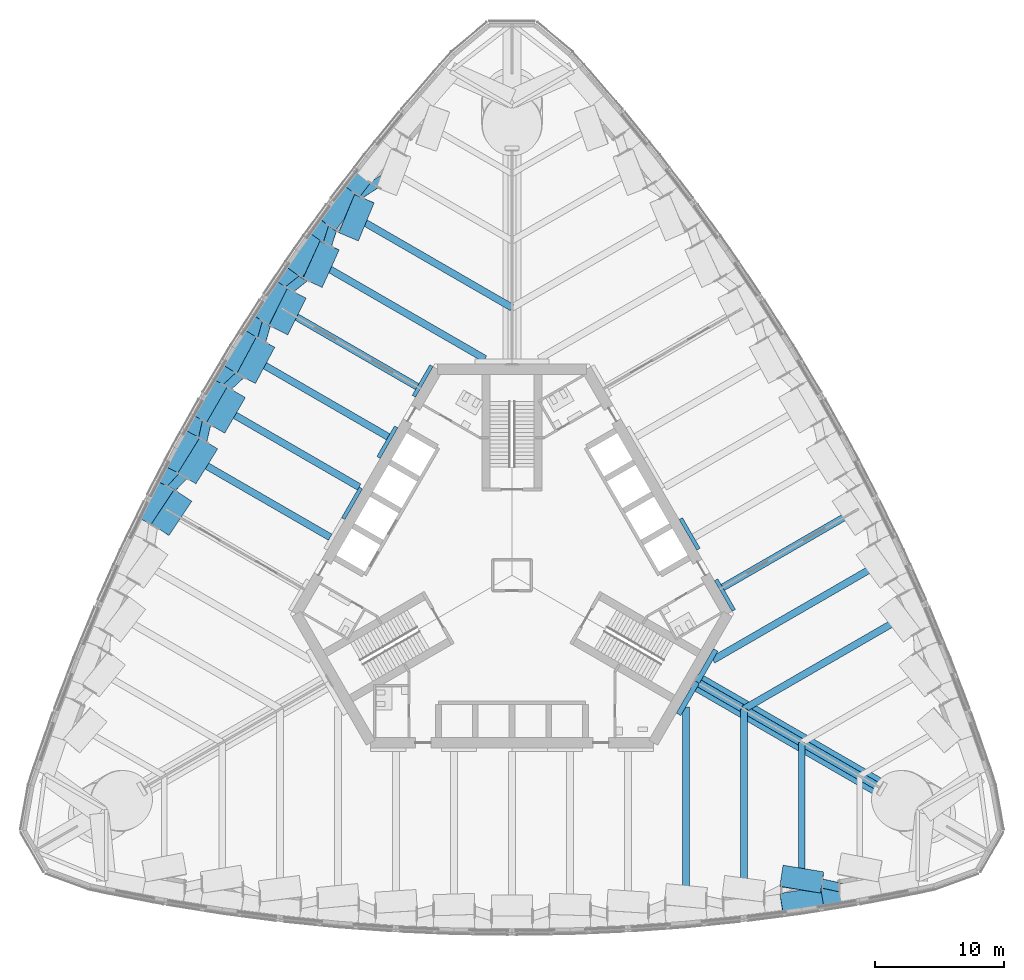
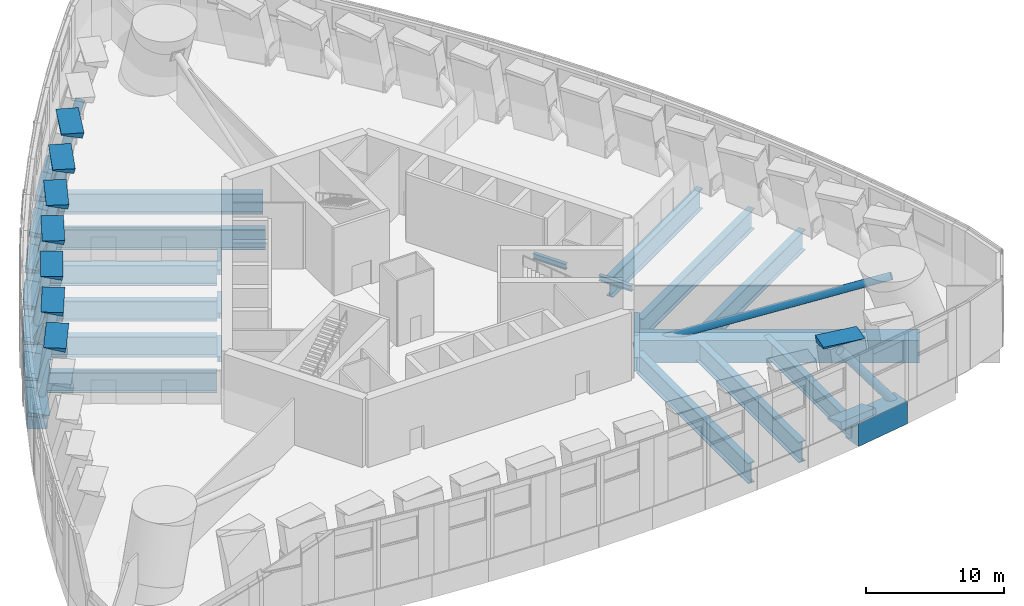
# One storey, part 4 of 28: 28 beams, 25 members.
"""IFC4 building model written with IfcOpenShell, lengths in metres."""

import ifcopenshell
import ifcopenshell.guid

model = None  # the IFC model being written
_history = None  # IfcOwnerHistory: only IFC2X3 demands one
_inside = {}  # id of a spatial element -> (the spatial element, [elements in it])
_under = {}  # id of a project, library or spatial element -> (it, [spatial elements below it])
_declared = {}  # id of a project -> (the project, [libraries it declares])
_typed = {}  # id of a type object -> (the type object, [elements of that type])
_made_of = {}  # id of a material, layer set ... -> (it, [elements and type objects made of it])


def new_model(schema):
    """Start an empty IFC model of exactly this schema.

    Asked for "IFC4X3", IfcOpenShell would pick the latest addendum, in which some entities
    have other attributes; the version numbers below select the first issue.
    IFC2X3 requires an IfcOwnerHistory on every rooted entity: one is made here for all.
    """
    global model, _history
    if schema == "IFC4X3":
        model = ifcopenshell.file(schema_version=(4, 3, 0, 0))
    else:
        model = ifcopenshell.file(schema=schema)
    _inside.clear()
    _under.clear()
    _declared.clear()
    _typed.clear()
    _made_of.clear()
    _history = None
    if model.schema == "IFC2X3":
        org = make("IfcOrganization", Name="unknown")
        user = make(
            "IfcPersonAndOrganization",
            ThePerson=make("IfcPerson", FamilyName="unknown"),
            TheOrganization=org,
        )
        app = make(
            "IfcApplication",
            ApplicationDeveloper=org,
            Version="unknown",
            ApplicationFullName="unknown",
            ApplicationIdentifier="unknown",
        )
        _history = make(
            "IfcOwnerHistory",
            OwningUser=user,
            OwningApplication=app,
            ChangeAction="ADDED",
            CreationDate=0,
        )
    return model


def make(cls, **values):
    """One entity of the class cls with the attributes given. An attribute that is None is left unset."""
    return model.create_entity(
        cls, **{name: value for name, value in values.items() if value is not None}
    )


def rooted(cls, **values):
    """An entity with a GlobalId (a new one), such as an element, a storey or a relation."""
    return make(cls, GlobalId=ifcopenshell.guid.new(), OwnerHistory=_history, **values)


def si_unit(unit_type, name, prefix=None):
    """IfcSIUnit, for example si_unit("LENGTHUNIT", "METRE", prefix="MILLI")."""
    return make("IfcSIUnit", UnitType=unit_type, Prefix=prefix, Name=name)


def assignment(units):
    """IfcUnitAssignment: the units of a project."""
    return None if units is None else make("IfcUnitAssignment", Units=units)


def point(xyz):
    """IfcCartesianPoint."""
    return None if xyz is None else make("IfcCartesianPoint", Coordinates=xyz)


def direction(xyz):
    """IfcDirection."""
    return None if xyz is None else make("IfcDirection", DirectionRatios=xyz)


def frame(location, z_axis=None, x_axis=None):
    """IfcAxis2Placement3D, a coordinate frame: its origin and axes. An axis left out is left unset."""
    return make(
        "IfcAxis2Placement3D",
        Location=point(location),
        Axis=direction(z_axis),
        RefDirection=direction(x_axis),
    )


def frame_2d(location, x_axis=None):
    """IfcAxis2Placement2D, a coordinate frame in the plane: its origin and x axis."""
    return make(
        "IfcAxis2Placement2D", Location=point(location), RefDirection=direction(x_axis)
    )


def origin():
    """The frame at (0, 0, 0) with its axes left unset."""
    return frame((0.0, 0.0, 0.0))


def origin_2d():
    """The frame at (0, 0) in the plane with its x axis left unset."""
    return frame_2d((0.0, 0.0))


def place(relative_to, where):
    """IfcLocalPlacement: puts the frame where relative to a parent placement (None: the world)."""
    return make(
        "IfcLocalPlacement", PlacementRelTo=relative_to, RelativePlacement=where
    )


def context(
    kind, dimensions, precision=None, world=None, true_north=None, identifier=None
):
    """IfcGeometricRepresentationContext, for example the 3D "Model" context."""
    return make(
        "IfcGeometricRepresentationContext",
        ContextIdentifier=identifier,
        ContextType=kind,
        CoordinateSpaceDimension=dimensions,
        Precision=precision,
        WorldCoordinateSystem=world,
        TrueNorth=true_north,
    )


def subcontext(parent, identifier, kind, view, scale=None):
    """IfcGeometricRepresentationSubContext, for example "Body" below "Model"."""
    return make(
        "IfcGeometricRepresentationSubContext",
        ContextIdentifier=identifier,
        ContextType=kind,
        ParentContext=parent,
        TargetScale=scale,
        TargetView=view,
    )


def project(units=None, contexts=None):
    """IfcProject with its units and contexts."""
    return rooted(
        "IfcProject",
        Name="project",
        RepresentationContexts=contexts,
        UnitsInContext=assignment(units),
    )


def spatial(cls, under=None, at=None, **own):
    """A site, building, storey or space (cls), placed at a placement, below another one or the project."""
    s = rooted(cls, ObjectPlacement=at, **own)
    if under is not None:
        _under.setdefault(under.id(), (under, []))[1].append(s)
    return s


def profile(cls, at=None, kind="AREA", **sizes):
    """A parametric profile (cls). Its sizes go by their IFC names, for example OverallWidth=200.0."""
    return make(cls, ProfileType=kind, Position=at, **sizes)


def rectangle(**sizes):
    """IfcRectangleProfileDef."""
    return profile("IfcRectangleProfileDef", **sizes)


def hollow_circle(**sizes):
    """IfcCircleHollowProfileDef."""
    return profile("IfcCircleHollowProfileDef", **sizes)


def i_section(**sizes):
    """IfcIShapeProfileDef."""
    return profile("IfcIShapeProfileDef", **sizes)


def extrude(swept, where, along, depth):
    """IfcExtrudedAreaSolid: the profile swept, set in the frame where, extruded along a direction by depth."""
    return make(
        "IfcExtrudedAreaSolid",
        SweptArea=swept,
        Position=where,
        ExtrudedDirection=direction(along),
        Depth=depth,
    )


def clip(a, b, op="DIFFERENCE"):
    """IfcBooleanClippingResult: the solid a cut by the half space b."""
    return make(
        "IfcBooleanClippingResult", Operator=op, FirstOperand=a, SecondOperand=b
    )


def halfspace(plane, agree):
    """IfcHalfSpaceSolid: all space on one side of the plane z = 0 of the frame plane."""
    return make(
        "IfcHalfSpaceSolid",
        BaseSurface=make("IfcPlane", Position=plane),
        AgreementFlag=agree,
    )


def shape(context_of_items, identifier, shape_type, items):
    """IfcShapeRepresentation: the items that make up one representation, for example the "Body"."""
    return make(
        "IfcShapeRepresentation",
        ContextOfItems=context_of_items,
        RepresentationIdentifier=identifier,
        RepresentationType=shape_type,
        Items=items,
    )


def material(Name=None, Category=None):
    """IfcMaterial."""
    return make("IfcMaterial", Name=Name, Category=Category)


def material_profile(
    of_material, cross_section, Name=None, Category=None, Priority=None
):
    """IfcMaterialProfile: a cross section and its material."""
    return make(
        "IfcMaterialProfile",
        Name=Name,
        Material=of_material,
        Profile=cross_section,
        Priority=Priority,
        Category=Category,
    )


def profile_set(profiles, Name=None, composite=None):
    """IfcMaterialProfileSet."""
    return make(
        "IfcMaterialProfileSet",
        Name=Name,
        MaterialProfiles=profiles,
        CompositeProfile=composite,
    )


def made_of(thing, what):
    """Note that an element or type object is made of a material, layer set ...; save() writes the relation."""
    if what is not None:
        _made_of.setdefault(what.id(), (what, []))[1].append(thing)
    return thing


def type_object(cls, material=None, **own):
    """A type object (cls), such as IfcWallType, which elements share."""
    return made_of(rooted(cls, **own), material)


def element(
    cls,
    number,
    at=None,
    inside=None,
    cuts=None,
    type_object=None,
    material=None,
    context=None,
    identifier="Body",
    shape_type=None,
    held_by="IfcProductDefinitionShape",
    body=None,
    shapes=None,
    **own,
):
    """One element of the class cls, such as IfcWall. Its Tag is "e" and its number.

    at: its placement. inside: the storey or other place that contains it. cuts: it is an
    opening in that element (IfcRelVoidsElement). A single representation is given by context,
    identifier, shape_type and body (its items); several are given by shapes. held_by: the class
    of the entity that holds the representations. save() writes the other relations.
    """
    e = rooted(cls, Tag="e%d" % number, ObjectPlacement=at, **own)
    if body is not None:
        shapes = [shape(context, identifier, shape_type, body)]
    if shapes is not None:
        e.Representation = make(held_by, Representations=shapes)
    if inside is not None:
        _inside.setdefault(inside.id(), (inside, []))[1].append(e)
    if cuts is not None:
        rooted(
            "IfcRelVoidsElement", RelatingBuildingElement=cuts, RelatedOpeningElement=e
        )
    if type_object is not None:
        _typed.setdefault(type_object.id(), (type_object, []))[1].append(e)
    return made_of(e, material)


def aggregate(whole, parts):
    """IfcRelAggregates: a whole, such as a stair, and the parts it consists of."""
    return rooted("IfcRelAggregates", RelatingObject=whole, RelatedObjects=parts)


def save(model, path):
    """Write the relations noted so far, then the file.

    IfcRelAggregates (storeys below a building ...), IfcRelContainedInSpatialStructure (elements
    in a storey), IfcRelDefinesByType, IfcRelAssociatesMaterial and IfcRelDeclares: one each for
    every whole, place, type object, material and project.
    """
    for whole, parts in _under.values():
        aggregate(whole, parts)
    for where, things in _inside.values():
        rooted(
            "IfcRelContainedInSpatialStructure",
            RelatedElements=things,
            RelatingStructure=where,
        )
    for kind, things in _typed.values():
        rooted("IfcRelDefinesByType", RelatedObjects=things, RelatingType=kind)
    for what, things in _made_of.values():
        rooted("IfcRelAssociatesMaterial", RelatedObjects=things, RelatingMaterial=what)
    for by, libraries in _declared.values():
        rooted("IfcRelDeclares", RelatingContext=by, RelatedDefinitions=libraries)
    model.write(path)


model = new_model("IFC4")

# Units and contexts
model_context = context("Model", 3, precision=1e-05, world=origin(), true_north=direction((0.0, 1.0)))
body_context = subcontext(model_context, "Body", "Model", "MODEL_VIEW")
ifc_project = project(units=[si_unit("LENGTHUNIT", "METRE"), si_unit("AREAUNIT", "SQUARE_METRE"), si_unit("VOLUMEUNIT", "CUBIC_METRE"), si_unit("PLANEANGLEUNIT", "RADIAN"), si_unit("MASSUNIT", "GRAM", prefix="KILO")], contexts=[model_context])

# Site, building, storey
site_placement = place(None, origin())
site = spatial("IfcSite", under=ifc_project, at=site_placement, CompositionType="ELEMENT")
building_placement = place(site_placement, origin())
building = spatial("IfcBuilding", under=site, at=building_placement, Name="Trefoil Bronze Tower", CompositionType="ELEMENT")
storey_placement = place(building_placement, frame((0.0, 0.0, 92.10009765625)))
storey = spatial("IfcBuildingStorey", under=building, at=storey_placement, Name="L21", CompositionType="ELEMENT", Elevation=92.10009765625)

# Members
ifc_material_1 = material(Name="Steel C355", Category="steel")
ifc_material_profile_1 = material_profile(ifc_material_1, hollow_circle(Radius=0.35546875, WallThickness=0.02490234375, at=origin_2d()), Name="CHS 711x25")
ifc_profile_set_1 = profile_set([ifc_material_profile_1], Name="Steel C355")
member_type_1 = type_object("IfcMemberType", Name="Belt truss diagonal CHS 711x25", PredefinedType="BRACE", material=ifc_profile_set_1)
member_1_placement = place(storey_placement, frame((27.0, -24.56787109375, -1.25), z_axis=(-0.591893033477, 0.12828844774, 0.795741610762), x_axis=(-0.211824249233, -0.977307775185, 0.0)))
element("IfcMember", 1, at=member_1_placement, inside=storey, type_object=member_type_1, Name="Belt truss diagonal F1.12 L21", PredefinedType="BRACE", context=body_context, shape_type="SweptSolid", body=[
    extrude(hollow_circle(Radius=0.35546875, WallThickness=0.02490234375, at=origin_2d()), origin(), (0.0, 0.0, 1.0), 7.602783203125),
])
member_2_placement = place(storey_placement, frame((-13.42578125, 28.5361328125, -1.25), z_axis=(0.538322489785, 0.348300813589, 0.767395230793), x_axis=(-0.543223240647, 0.839588298406, 0.0)))
element("IfcMember", 2, at=member_2_placement, inside=storey, type_object=member_type_1, Name="Belt truss diagonal F3.2 L21", PredefinedType="BRACE", context=body_context, shape_type="SweptSolid", body=[
    extrude(hollow_circle(Radius=0.35546875, WallThickness=0.02490234375, at=origin_2d()), origin(), (0.0, 0.0, 1.0), 7.883544921875),
])
member_3_placement = place(storey_placement, frame((-13.42578125, 28.5361328125, -1.25), z_axis=(-0.184077399459, -0.577116200572, 0.795645902425), x_axis=(0.95271113521, -0.303877430631, 0.0)))
element("IfcMember", 3, at=member_3_placement, inside=storey, type_object=member_type_1, Name="Belt truss diagonal F3.3 L21", PredefinedType="BRACE", context=body_context, shape_type="SweptSolid", body=[
    extrude(hollow_circle(Radius=0.35546875, WallThickness=0.02490234375, at=origin_2d()), origin(), (0.0, 0.0, 1.0), 7.603759765625),
])
member_4_placement = place(storey_placement, frame((-18.61083984375, 21.13720703125, -1.25), z_axis=(0.488717682786, 0.388704705845, 0.781065732308), x_axis=(-0.622476489469, 0.782638498963, 0.0)))
element("IfcMember", 4, at=member_4_placement, inside=storey, type_object=member_type_1, Name="Belt truss diagonal F3.4 L21", PredefinedType="BRACE", context=body_context, shape_type="SweptSolid", body=[
    extrude(hollow_circle(Radius=0.35546875, WallThickness=0.02490234375, at=origin_2d()), origin(), (0.0, 0.0, 1.0), 7.74560546875),
])
member_5_placement = place(storey_placement, frame((-18.61083984375, 21.13720703125, -1.25), z_axis=(-0.168156431532, -0.584607845395, 0.793698356831), x_axis=(0.961033641328, -0.276431438581, 0.0)))
element("IfcMember", 5, at=member_5_placement, inside=storey, type_object=member_type_1, Name="Belt truss diagonal F3.5 L21", PredefinedType="BRACE", context=body_context, shape_type="SweptSolid", body=[
    extrude(hollow_circle(Radius=0.35546875, WallThickness=0.02490234375, at=origin_2d()), origin(), (0.0, 0.0, 1.0), 7.622314453125),
])
for number, where, z_axis, x_axis, name in (
    (6, (-23.33837890625, 13.474365234375, -1.25), (0.449531112082, 0.418349947372, 0.789243372354), (-0.681262352242, 0.732039348271, 0.0), "Belt truss diagonal F3.6 L21"),
    (7, (-23.33837890625, 13.474365234375, -1.25), (-0.137530038849, -0.598469066692, 0.789252978852), (0.974597091452, -0.223965419951, 0.0), "Belt truss diagonal F3.7 L21"),
):
    element("IfcMember", number, at=place(storey_placement, frame(where, z_axis=z_axis, x_axis=x_axis)), inside=storey, type_object=member_type_1, Name=name, PredefinedType="BRACE", context=body_context, shape_type="SweptSolid", body=[
        extrude(hollow_circle(Radius=0.35546875, WallThickness=0.02490234375, at=origin_2d()), origin(), (0.0, 0.0, 1.0), 7.665283203125),
    ])
member_6_placement = place(storey_placement, frame((-27.61083984375, 5.548828125, -1.25), z_axis=(0.422212868272, 0.437939352745, 0.793691008632), x_axis=(-0.719914761564, 0.69406248716, 0.0)))
element("IfcMember", 8, at=member_6_placement, inside=storey, type_object=member_type_1, Name="Belt truss diagonal F3.8 L21", PredefinedType="BRACE", context=body_context, shape_type="SweptSolid", body=[
    extrude(hollow_circle(Radius=0.35546875, WallThickness=0.02490234375, at=origin_2d()), origin(), (0.0, 0.0, 1.0), 7.622314453125),
])
ifc_material_2 = material(Name="Concrete B80", Category="concrete")
ifc_material_profile_2 = material_profile(ifc_material_2, rectangle(XDim=3.199951171875, YDim=1.60009765625, at=origin_2d()), Name="RC 3200x1600")
ifc_profile_set_2 = profile_set([ifc_material_profile_2], Name="Concrete B80")
member_type_2 = type_object("IfcMemberType", Name="Column node RC 3200x1600", PredefinedType="MEMBER", material=ifc_profile_set_2)
member_7_placement = place(storey_placement, frame((22.5, -25.380615234375, -0.285888671875), z_axis=(0.0, 0.273635650863, 0.961833421428), x_axis=(0.987654538404, 0.150669026575, -0.042864404826)))
element("IfcMember", 9, at=member_7_placement, inside=storey, type_object=member_type_2, Name="Column node TC3216 L21 bottom", PredefinedType="MEMBER", context=body_context, shape_type="Clipping", body=[
    clip(extrude(rectangle(XDim=3.199951171875, YDim=1.60009765625, at=origin_2d()), origin(), (0.0, 0.0, 1.0), 0.59423828125), halfspace(frame((0.0, 0.0, 0.297119140625), z_axis=(-0.04286440482648069, -0.2702574924443748, 0.9618334214283419), x_axis=(0.0, 0.9627182567156463, 0.2705061148779954)), True)),
])
member_8_placement = place(storey_placement, frame((22.5, -23.51123046875, 6.28564453125), z_axis=(0.0, -0.273635650863, -0.961833421428), x_axis=(-0.987654538404, 0.150669026575, -0.042864404826)))
element("IfcMember", 10, at=member_8_placement, inside=storey, type_object=member_type_2, Name="Column node TC3216 L21 top", PredefinedType="MEMBER", context=body_context, shape_type="Clipping", body=[
    clip(extrude(rectangle(XDim=3.199951171875, YDim=1.60009765625, at=origin_2d()), origin(), (0.0, 0.0, 1.0), 0.59423828125), halfspace(frame((0.0, 0.0, 0.297119140625), z_axis=(0.04286440482648069, 0.2702574924443748, 0.9618334214283419), x_axis=(0.0, 0.9627182567156463, -0.2705061148779954)), True)),
])
member_9_placement = place(storey_placement, frame((-23.3701171875, 13.49267578125, -0.17041015625), z_axis=(0.182873443531, -0.105800344725, 0.977427025771), x_axis=(-0.500774789596, -0.865577616454, 0.0)))
element("IfcMember", 11, at=member_9_placement, inside=storey, type_object=member_type_2, Name="Column node TC3216 L21 bottom", PredefinedType="MEMBER", context=body_context, shape_type="Clipping", body=[
    clip(extrude(rectangle(XDim=3.199951171875, YDim=1.60009765625, at=origin_2d()), origin(), (0.0, 0.0, 1.0), 0.348388671875), halfspace(frame((0.0, 0.0, 0.17431640625), z_axis=(2.5873517638691127e-17, -0.21127330473329353, 0.9774270257707595), x_axis=(0.0, 0.9774270257707595, 0.21127330473329353)), True)),
])
member_10_placement = place(storey_placement, frame((-22.181396484375, 12.806396484375, 6.170166015625), z_axis=(-0.182873443531, 0.105800344725, -0.977427025771), x_axis=(0.500774789596, 0.865577616454, 0.0)))
element("IfcMember", 12, at=member_10_placement, inside=storey, type_object=member_type_2, Name="Column node TC3216 L21 top", PredefinedType="MEMBER", context=body_context, shape_type="Clipping", body=[
    clip(extrude(rectangle(XDim=3.199951171875, YDim=1.60009765625, at=origin_2d()), origin(), (0.0, 0.0, 1.0), 0.348388671875), halfspace(frame((0.0, 0.0, 0.17431640625), z_axis=(-2.5873517638691127e-17, 0.21127330473329356, 0.9774270257707595), x_axis=(0.0, 0.9774270257707595, -0.21127330473329356)), True)),
])
member_11_placement = place(storey_placement, frame((-25.566162109375, 9.564453125, -0.18310546875), z_axis=(0.185711225256, -0.106865406814, 0.976775883015), x_axis=(-0.471598349584, -0.881787177399, -0.006809584698)))
element("IfcMember", 13, at=member_11_placement, inside=storey, type_object=member_type_2, Name="Column node TC3216 L21 bottom", PredefinedType="MEMBER", context=body_context, shape_type="Clipping", body=[
    clip(extrude(rectangle(XDim=3.199951171875, YDim=1.60009765625, at=origin_2d()), origin(), (0.0, 0.0, 1.0), 0.374755859375), halfspace(frame((0.0, 0.0, 0.187255859375), z_axis=(-0.006809584697733859, -0.2141553266114201, 0.9767758830152393), x_axis=(0.0, 0.9767985305684478, 0.2141602920228708)), True)),
])
member_12_placement = place(storey_placement, frame((-24.35791015625, 8.866943359375, 6.182861328125), z_axis=(-0.185081966273, 0.106878318552, -0.976893899451), x_axis=(0.526707923279, 0.850019191545, -0.006792463508)))
element("IfcMember", 14, at=member_12_placement, inside=storey, type_object=member_type_2, Name="Column node TC3216 L21 top", PredefinedType="MEMBER", context=body_context, shape_type="Clipping", body=[
    clip(extrude(rectangle(XDim=3.199951171875, YDim=1.60009765625, at=origin_2d()), origin(), (0.0, 0.0, 1.0), 0.37451171875), halfspace(frame((0.0, 0.0, 0.187255859375), z_axis=(0.006792463507608063, 0.21361688054956463, 0.9768938994505856), x_axis=(0.0, 0.976916435981119, -0.2136218086009668)), True)),
])
member_13_placement = place(storey_placement, frame((-27.650146484375, 5.571533203125, -0.200439453125), z_axis=(0.191942334907, -0.110530260968, 0.975162141124), x_axis=(-0.444391351545, -0.895722476105, -0.014056047536)))
element("IfcMember", 15, at=member_13_placement, inside=storey, type_object=member_type_2, Name="Column node TC3216 L21 bottom", PredefinedType="MEMBER", context=body_context, shape_type="Clipping", body=[
    clip(extrude(rectangle(XDim=3.199951171875, YDim=1.60009765625, at=origin_2d()), origin(), (0.0, 0.0, 1.0), 0.410888671875), halfspace(frame((0.0, 0.0, 0.205322265625), z_axis=(-0.014056047535892303, -0.22104575555087874, 0.9751621411235211), x_axis=(0.0, 0.9752584879979466, 0.2210675950653084)), True)),
])
member_14_placement = place(storey_placement, frame((-26.390869140625, 4.844482421875, 6.2001953125), z_axis=(-0.191942334907, 0.110530260968, -0.975162141124), x_axis=(0.551647923135, 0.833958629926, -0.014056047536)))
element("IfcMember", 16, at=member_14_placement, inside=storey, type_object=member_type_2, Name="Column node TC3216 L21 top", PredefinedType="MEMBER", context=body_context, shape_type="Clipping", body=[
    clip(extrude(rectangle(XDim=3.199951171875, YDim=1.60009765625, at=origin_2d()), origin(), (0.0, 0.0, 1.0), 0.410888671875), halfspace(frame((0.0, 0.0, 0.205322265625), z_axis=(0.014056047535892303, 0.22104575555087877, 0.9751621411235211), x_axis=(0.0, 0.9752584879979466, -0.22106759506530843)), True)),
])
member_15_placement = place(storey_placement, frame((-21.066162109375, 17.358642578125, -0.18310546875), z_axis=(0.185711225256, -0.106865406814, 0.976775883015), x_axis=(-0.525411331829, -0.850821110423, 0.006809584698)))
element("IfcMember", 17, at=member_15_placement, inside=storey, type_object=member_type_2, Name="Column node TC3216 L21 bottom", PredefinedType="MEMBER", context=body_context, shape_type="Clipping", body=[
    clip(extrude(rectangle(XDim=3.199951171875, YDim=1.60009765625, at=origin_2d()), origin(), (0.0, 0.0, 1.0), 0.374755859375), halfspace(frame((0.0, 0.0, 0.187255859375), z_axis=(0.006809584697733859, -0.2141553266114201, 0.9767758830152393), x_axis=(0.0, 0.9767985305684478, 0.2141602920228708)), True)),
])
member_16_placement = place(storey_placement, frame((-19.85791015625, 16.6611328125, 6.182861328125), z_axis=(-0.185081966273, 0.106878318552, -0.976893899451), x_axis=(0.472935601154, 0.881070814181, 0.006792463508)))
element("IfcMember", 18, at=member_16_placement, inside=storey, type_object=member_type_2, Name="Column node TC3216 L21 top", PredefinedType="MEMBER", context=body_context, shape_type="Clipping", body=[
    clip(extrude(rectangle(XDim=3.199951171875, YDim=1.60009765625, at=origin_2d()), origin(), (0.0, 0.0, 1.0), 0.37451171875), halfspace(frame((0.0, 0.0, 0.187255859375), z_axis=(-0.006792463507608063, 0.21361688054956463, 0.9768938994505856), x_axis=(0.0, 0.976916435981119, -0.2136218086009668)), True)),
])
member_17_placement = place(storey_placement, frame((-18.650146484375, 21.159912109375, -0.200439453125), z_axis=(0.191942334907, -0.110530260968, 0.975162141124), x_axis=(-0.551647923135, -0.833958629926, 0.014056047536)))
element("IfcMember", 19, at=member_17_placement, inside=storey, type_object=member_type_2, Name="Column node TC3216 L21 bottom", PredefinedType="MEMBER", context=body_context, shape_type="Clipping", body=[
    clip(extrude(rectangle(XDim=3.199951171875, YDim=1.60009765625, at=origin_2d()), origin(), (0.0, 0.0, 1.0), 0.410888671875), halfspace(frame((0.0, 0.0, 0.205322265625), z_axis=(0.014056047535892303, -0.22104575555087877, 0.9751621411235211), x_axis=(0.0, 0.9752584879979466, 0.22106759506530843)), True)),
])
member_18_placement = place(storey_placement, frame((-17.390869140625, 20.432861328125, 6.2001953125), z_axis=(-0.19192969502, 0.111117191854, -0.975097924233), x_axis=(0.446473441107, 0.894686196128, 0.014073977574)))
element("IfcMember", 20, at=member_18_placement, inside=storey, type_object=member_type_2, Name="Column node TC3216 L21 top", PredefinedType="MEMBER", context=body_context, shape_type="Clipping", body=[
    clip(extrude(rectangle(XDim=3.199951171875, YDim=1.60009765625, at=origin_2d()), origin(), (0.0, 0.0, 1.0), 0.410888671875), halfspace(frame((0.0, 0.0, 0.205322265625), z_axis=(-0.014073977573678837, 0.22132772377412643, 0.9750979242333663), x_axis=(0.0, 0.9751945107423408, -0.22134964697962953)), True)),
])
member_19_placement = place(storey_placement, frame((-16.122314453125, 24.896728515625, -0.222900390625), z_axis=(0.202953041845, -0.117190732824, 0.972150397287), x_axis=(-0.577707991438, -0.815940297729, 0.022246509171)))
element("IfcMember", 21, at=member_19_placement, inside=storey, type_object=member_type_2, Name="Column node TC3216 L21 bottom", PredefinedType="MEMBER", context=body_context, shape_type="Clipping", body=[
    clip(extrude(rectangle(XDim=3.199951171875, YDim=1.60009765625, at=origin_2d()), origin(), (0.0, 0.0, 1.0), 0.458251953125), halfspace(frame((0.0, 0.0, 0.229248046875), z_axis=(0.022246509171194372, -0.23329958826251437, 0.9721503972874965), x_axis=(0.0, 0.9723910487173858, 0.23335734051943327)), True)),
])
member_20_placement = place(storey_placement, frame((-14.77880859375, 24.12109375, 6.22265625), z_axis=(-0.202953041845, 0.117190732824, -0.972150397287), x_axis=(0.417876682554, 0.908231342229, 0.022246509171)))
element("IfcMember", 22, at=member_20_placement, inside=storey, type_object=member_type_2, Name="Column node TC3216 L21 top", PredefinedType="MEMBER", context=body_context, shape_type="Clipping", body=[
    clip(extrude(rectangle(XDim=3.199951171875, YDim=1.60009765625, at=origin_2d()), origin(), (0.0, 0.0, 1.0), 0.458251953125), halfspace(frame((0.0, 0.0, 0.229248046875), z_axis=(-0.022246509171194372, 0.23329958826251437, 0.9721503972874965), x_axis=(0.0, 0.9723910487173858, -0.23335734051943327)), True)),
])
member_21_placement = place(storey_placement, frame((-13.482421875, 28.568603515625, -0.251220703125), z_axis=(0.217851430786, -0.125629226825, 0.967862620144), x_axis=(-0.601255024827, -0.79842826559, 0.031697000283)))
element("IfcMember", 23, at=member_21_placement, inside=storey, type_object=member_type_2, Name="Column node TC3216 L21 bottom", PredefinedType="MEMBER", context=body_context, shape_type="Clipping", body=[
    clip(extrude(rectangle(XDim=3.199951171875, YDim=1.60009765625, at=origin_2d()), origin(), (0.0, 0.0, 1.0), 0.518798828125), halfspace(frame((0.0, 0.0, 0.259521484375), z_axis=(0.03169700028319803, -0.249473943932226, 0.9678626201439683), x_axis=(0.0, 0.9683491925225559, 0.24959936165966823)), True)),
])
member_22_placement = place(storey_placement, frame((-12.02001953125, 27.724365234375, 6.2509765625), z_axis=(-0.217851430786, 0.125629226825, -0.967862620144), x_axis=(0.389897822882, 0.920312440362, 0.031697000283)))
element("IfcMember", 24, at=member_22_placement, inside=storey, type_object=member_type_2, Name="Column node TC3216 L21 top", PredefinedType="MEMBER", context=body_context, shape_type="Clipping", body=[
    clip(extrude(rectangle(XDim=3.199951171875, YDim=1.60009765625, at=origin_2d()), origin(), (0.0, 0.0, 1.0), 0.518798828125), halfspace(frame((0.0, 0.0, 0.259521484375), z_axis=(-0.03169700028319803, 0.24947394393222602, 0.9678626201439683), x_axis=(0.0, 0.9683491925225559, -0.24959936165966826)), True)),
])

# Beams
ifc_material_3 = material(Name="Steel C355", Category="steel")
ifc_material_profile_3 = material_profile(ifc_material_3, i_section(OverallWidth=0.300048828125, OverallDepth=0.5, WebThickness=0.014404296875, FlangeThickness=0.028076171875, FilletRadius=0.027099609375, at=origin_2d()), Name="HEB 500")
ifc_profile_set_3 = profile_set([ifc_material_profile_3], Name="Steel C355")
beam_type_1 = type_object("IfcBeamType", Name="Core seat beam HEB 500", PredefinedType="BEAM", material=ifc_profile_set_3)
for number, where, z_axis, x_axis, name in (
    (25, (17.219482421875, -2.72509765625, -0.5), (-0.500035825175, 0.866004719122, 0.0), (-0.866004719122, -0.500035825175, 0.0), "Core seat beam F2/-2 L21"),
    (26, (14.47705078125, 2.02490234375, -0.5), (-0.499969057507, 0.866043267704, 0.0), (-0.866043267704, -0.499969057507, 0.0), "Core seat beam F2/-1 L21"),
    (27, (-6.249755859375, 16.27490234375, -0.5), (-0.500035825175, -0.866004719122, 0.0), (0.866004719122, -0.500035825175, 0.0), "Core seat beam F3/-2 L21"),
    (28, (-8.9921875, 11.52490234375, -0.5), (-0.500035825175, -0.866004719122, 0.0), (0.866004719122, -0.500035825175, 0.0), "Core seat beam F3/-1 L21"),
    (29, (-11.734619140625, 6.77490234375, -0.5), (-0.500035825175, -0.866004719122, 0.0), (0.866004719122, -0.500035825175, 0.0), "Core seat beam F3/+0 L21"),
):
    element("IfcBeam", number, at=place(storey_placement, frame(where, z_axis=z_axis, x_axis=x_axis)), inside=storey, type_object=beam_type_1, Name=name, PredefinedType="BEAM", context=body_context, shape_type="SweptSolid", body=[
        extrude(i_section(OverallWidth=0.300048828125, OverallDepth=0.5, WebThickness=0.014404296875, FlangeThickness=0.028076171875, FilletRadius=0.027099609375, at=origin_2d()), origin(), (0.0, 0.0, 1.0), 2.742431640625),
    ])
ifc_material_4 = material(Name="Steel C355", Category="steel")
ifc_material_profile_4 = material_profile(ifc_material_4, i_section(OverallWidth=0.39990234375, OverallDepth=1.199951171875, WebThickness=0.02001953125, FlangeThickness=0.0400390625, FilletRadius=0.010009765625, at=origin_2d()), Name="WPG 1200")
ifc_profile_set_4 = profile_set([ifc_material_profile_4], Name="Steel C355")
beam_type_2 = type_object("IfcBeamType", Name="Core seat beam WPG 1200", PredefinedType="BEAM", material=ifc_profile_set_4)
for number, where, z_axis, x_axis, name in (
    (30, (12.9326171875, -10.800048828125, -0.85009765625), (0.499995765644, 0.866027848477, 0.0), (-0.866027848477, 0.499995765644, 0.0), "Core seat beam F1/+3 L21"),
    (31, (14.3759765625, -8.300048828125, -0.85009765625), (0.499995765644, 0.866027848477, 0.0), (-0.866027848477, 0.499995765644, 0.0), "Core seat beam F2/-3 L21"),
):
    element("IfcBeam", number, at=place(storey_placement, frame(where, z_axis=z_axis, x_axis=x_axis)), inside=storey, type_object=beam_type_2, Name=name, PredefinedType="BEAM", context=body_context, shape_type="SweptSolid", body=[
        extrude(i_section(OverallWidth=0.39990234375, OverallDepth=1.199951171875, WebThickness=0.02001953125, FlangeThickness=0.0400390625, FilletRadius=0.010009765625, at=origin_2d()), origin(), (0.0, 0.0, 1.0), 2.88671875),
    ])
ifc_material_5 = material(Name="Concrete B80", Category="concrete")
ifc_material_profile_5 = material_profile(ifc_material_5, rectangle(XDim=1.39990234375, YDim=2.0, at=origin_2d()), Name="RC 1400x2000")
ifc_profile_set_5 = profile_set([ifc_material_profile_5], Name="Concrete B80")
beam_type_3 = type_object("IfcBeamType", Name="Corner girder RC 1400x2000", PredefinedType="BEAM", material=ifc_profile_set_5)
beam_1_placement = place(storey_placement, frame((14.202880859375, -8.199951171875, -1.25), z_axis=(0.866023947468, -0.500002522405, 0.0), x_axis=(0.500002522405, 0.866023947468, 0.0)))
element("IfcBeam", 32, at=beam_1_placement, inside=storey, type_object=beam_type_3, Name="Corner girder K1 L21", PredefinedType="BEAM", context=body_context, shape_type="SweptSolid", body=[
    extrude(rectangle(XDim=1.39990234375, YDim=2.0, at=origin_2d()), origin(), (0.0, 0.0, 1.0), 20.60009765625),
])
ifc_material_6 = material(Name="Steel C355", Category="steel")
ifc_material_profile_6 = material_profile(ifc_material_6, i_section(OverallWidth=0.5, OverallDepth=1.60009765625, WebThickness=0.02587890625, FlangeThickness=0.050048828125, FilletRadius=0.011962890625, at=origin_2d()), Name="WPG 1600")
ifc_profile_set_6 = profile_set([ifc_material_profile_6], Name="Steel C355")
beam_type_4 = type_object("IfcBeamType", Name="Floor beam WPG 1600", PredefinedType="BEAM", material=ifc_profile_set_6)
beam_2_placement = place(storey_placement, frame((22.5, -25.29931640625, -1.050048828125), z_axis=(0.0, 1.0, 0.0), x_axis=(-1.0, 0.0, 0.0)))
element("IfcBeam", 33, at=beam_2_placement, inside=storey, type_object=beam_type_4, Name="Floor beam F1/+5 L21", PredefinedType="BEAM", context=body_context, shape_type="SweptSolid", body=[
    extrude(i_section(OverallWidth=0.5, OverallDepth=1.60009765625, WebThickness=0.02587890625, FlangeThickness=0.050048828125, FilletRadius=0.011962890625, at=origin_2d()), origin(), (0.0, 0.0, 1.0), 12.308837890625),
])
ifc_material_7 = material(Name="Steel C355", Category="steel")
ifc_material_profile_7 = material_profile(ifc_material_7, i_section(OverallWidth=0.550048828125, OverallDepth=1.800048828125, WebThickness=0.029052734375, FlangeThickness=0.054931640625, FilletRadius=0.013916015625, at=origin_2d()), Name="WPG 1800")
ifc_profile_set_7 = profile_set([ifc_material_profile_7], Name="Steel C355")
beam_type_5 = type_object("IfcBeamType", Name="Floor beam WPG 1800", PredefinedType="BEAM", material=ifc_profile_set_7)
beam_3_placement = place(storey_placement, frame((13.5, -26.35693359375, -1.150146484375), z_axis=(0.0, 1.0, 0.0), x_axis=(-1.0, 0.0, 0.0)))
element("IfcBeam", 34, at=beam_3_placement, inside=storey, type_object=beam_type_5, Name="Floor beam F1/+3 L21", PredefinedType="BEAM", context=body_context, shape_type="SweptSolid", body=[
    extrude(i_section(OverallWidth=0.550048828125, OverallDepth=1.800048828125, WebThickness=0.029052734375, FlangeThickness=0.054931640625, FilletRadius=0.013916015625, at=origin_2d()), origin(), (0.0, 0.0, 1.0), 16.1396484375),
])
beam_4_placement = place(storey_placement, frame((18.0, -25.895263671875, -1.150146484375), z_axis=(0.0, 1.0, 0.0), x_axis=(-1.0, 0.0, 0.0)))
element("IfcBeam", 35, at=beam_4_placement, inside=storey, type_object=beam_type_5, Name="Floor beam F1/+4 L21", PredefinedType="BEAM", context=body_context, shape_type="SweptSolid", body=[
    extrude(i_section(OverallWidth=0.550048828125, OverallDepth=1.800048828125, WebThickness=0.029052734375, FlangeThickness=0.054931640625, FilletRadius=0.013916015625, at=origin_2d()), origin(), (0.0, 0.0, 1.0), 15.5029296875),
])
beam_5_placement = place(storey_placement, frame((31.42578125, -2.640869140625, -1.150146484375), z_axis=(-0.866022989816, -0.500004181093, 0.0), x_axis=(0.500004181093, -0.866022989816, 0.0)))
element("IfcBeam", 36, at=beam_5_placement, inside=storey, type_object=beam_type_5, Name="Floor beam F2/-4 L21", PredefinedType="BEAM", context=body_context, shape_type="SweptSolid", body=[
    extrude(i_section(OverallWidth=0.550048828125, OverallDepth=1.800048828125, WebThickness=0.029052734375, FlangeThickness=0.054931640625, FilletRadius=0.013916015625, at=origin_2d()), origin(), (0.0, 0.0, 1.0), 15.502685546875),
])
beam_6_placement = place(storey_placement, frame((29.575927734375, 1.487060546875, -1.150146484375), z_axis=(-0.866028401131, -0.499994808408, 0.0), x_axis=(0.499994808408, -0.866028401131, 0.0)))
element("IfcBeam", 37, at=beam_6_placement, inside=storey, type_object=beam_type_5, Name="Floor beam F2/-3 L21", PredefinedType="BEAM", context=body_context, shape_type="SweptSolid", body=[
    extrude(i_section(OverallWidth=0.550048828125, OverallDepth=1.800048828125, WebThickness=0.029052734375, FlangeThickness=0.054931640625, FilletRadius=0.013916015625, at=origin_2d()), origin(), (0.0, 0.0, 1.0), 16.139892578125),
])
beam_7_placement = place(storey_placement, frame((27.61083984375, 5.548828125, -1.150146484375), z_axis=(-0.866022474361, -0.500005073876, 0.0), x_axis=(0.500005073876, -0.866022474361, 0.0)))
element("IfcBeam", 38, at=beam_7_placement, inside=storey, type_object=beam_type_5, Name="Floor beam F2/-2 L21", PredefinedType="BEAM", context=body_context, shape_type="SweptSolid", body=[
    extrude(i_section(OverallWidth=0.550048828125, OverallDepth=1.800048828125, WebThickness=0.029052734375, FlangeThickness=0.054931640625, FilletRadius=0.013916015625, at=origin_2d()), origin(), (0.0, 0.0, 1.0), 12.986083984375),
])
beam_8_placement = place(storey_placement, frame((-13.42578125, 28.5361328125, -1.150146484375), z_axis=(0.866022989816, -0.500004181093, 0.0), x_axis=(0.500004181093, 0.866022989816, 0.0)))
element("IfcBeam", 39, at=beam_8_placement, inside=storey, type_object=beam_type_5, Name="Floor beam F3/-4 L21", PredefinedType="BEAM", context=body_context, shape_type="SweptSolid", body=[
    extrude(i_section(OverallWidth=0.550048828125, OverallDepth=1.800048828125, WebThickness=0.029052734375, FlangeThickness=0.054931640625, FilletRadius=0.013916015625, at=origin_2d()), origin(), (0.0, 0.0, 1.0), 15.502685546875),
])
beam_9_placement = place(storey_placement, frame((-16.075927734375, 24.869873046875, -1.150146484375), z_axis=(0.866028401131, -0.499994808408, 0.0), x_axis=(0.499994808408, 0.866028401131, 0.0)))
element("IfcBeam", 40, at=beam_9_placement, inside=storey, type_object=beam_type_5, Name="Floor beam F3/-3 L21", PredefinedType="BEAM", context=body_context, shape_type="SweptSolid", body=[
    extrude(i_section(OverallWidth=0.550048828125, OverallDepth=1.800048828125, WebThickness=0.029052734375, FlangeThickness=0.054931640625, FilletRadius=0.013916015625, at=origin_2d()), origin(), (0.0, 0.0, 1.0), 16.139892578125),
])
beam_10_placement = place(storey_placement, frame((-18.61083984375, 21.13720703125, -1.150146484375), z_axis=(0.866030615021, -0.499990973765, 0.0), x_axis=(0.499990973765, 0.866030615021, 0.0)))
element("IfcBeam", 41, at=beam_10_placement, inside=storey, type_object=beam_type_5, Name="Floor beam F3/-2 L21", PredefinedType="BEAM", context=body_context, shape_type="SweptSolid", body=[
    extrude(i_section(OverallWidth=0.550048828125, OverallDepth=1.800048828125, WebThickness=0.029052734375, FlangeThickness=0.054931640625, FilletRadius=0.013916015625, at=origin_2d()), origin(), (0.0, 0.0, 1.0), 12.986083984375),
])
beam_11_placement = place(storey_placement, frame((-21.031494140625, 17.338623046875, -1.150146484375), z_axis=(0.866027071639, -0.499997111179, 0.0), x_axis=(0.499997111179, 0.866027071639, 0.0)))
element("IfcBeam", 42, at=beam_11_placement, inside=storey, type_object=beam_type_5, Name="Floor beam F3/-1 L21", PredefinedType="BEAM", context=body_context, shape_type="SweptSolid", body=[
    extrude(i_section(OverallWidth=0.550048828125, OverallDepth=1.800048828125, WebThickness=0.029052734375, FlangeThickness=0.054931640625, FilletRadius=0.013916015625, at=origin_2d()), origin(), (0.0, 0.0, 1.0), 13.18310546875),
])
beam_12_placement = place(storey_placement, frame((-23.33837890625, 13.474365234375, -1.150146484375), z_axis=(0.866031233401, -0.499989902672, 0.0), x_axis=(0.499989902672, 0.866031233401, 0.0)))
element("IfcBeam", 43, at=beam_12_placement, inside=storey, type_object=beam_type_5, Name="Floor beam F3/+0 L21", PredefinedType="BEAM", context=body_context, shape_type="SweptSolid", body=[
    extrude(i_section(OverallWidth=0.550048828125, OverallDepth=1.800048828125, WebThickness=0.029052734375, FlangeThickness=0.054931640625, FilletRadius=0.013916015625, at=origin_2d()), origin(), (0.0, 0.0, 1.0), 13.248779296875),
])
beam_13_placement = place(storey_placement, frame((-25.531494140625, 9.54443359375, -1.150146484375), z_axis=(0.866027071639, -0.499997111179, 0.0), x_axis=(0.499997111179, 0.866027071639, 0.0)))
element("IfcBeam", 44, at=beam_13_placement, inside=storey, type_object=beam_type_5, Name="Floor beam F3/+1 L21", PredefinedType="BEAM", context=body_context, shape_type="SweptSolid", body=[
    extrude(i_section(OverallWidth=0.550048828125, OverallDepth=1.800048828125, WebThickness=0.029052734375, FlangeThickness=0.054931640625, FilletRadius=0.013916015625, at=origin_2d()), origin(), (0.0, 0.0, 1.0), 13.18310546875),
])

# Member
ifc_material_8 = material(Name="Steel C355", Category="steel")
ifc_material_profile_8 = material_profile(ifc_material_8, hollow_circle(Radius=0.304931640625, WallThickness=0.02490234375, at=origin_2d()), Name="CHS 610x25")
ifc_profile_set_8 = profile_set([ifc_material_profile_8], Name="Steel C355")
member_type_3 = type_object("IfcMemberType", Name="Outrigger brace CHS 610x25", PredefinedType="BRACE", material=ifc_profile_set_8)
member_23_placement = place(storey_placement, frame((14.202880859375, -8.199951171875, -1.25), z_axis=(0.821580821447, -0.474347179838, 0.316227302444), x_axis=(0.500005748546, 0.866022084834, 0.0)))
element("IfcMember", 45, at=member_23_placement, inside=storey, type_object=member_type_3, Name="Outrigger brace K1 L21", PredefinedType="BRACE", context=body_context, shape_type="SweptSolid", body=[
    extrude(hollow_circle(Radius=0.304931640625, WallThickness=0.02490234375, at=origin_2d()), origin(), (0.0, 0.0, 1.0), 19.60595703125),
])

# Beams
ifc_material_9 = material(Name="Concrete B80", Category="concrete")
ifc_material_profile_9 = material_profile(ifc_material_9, rectangle(XDim=1.5, YDim=2.0, at=origin_2d()), Name="RC 1500x2000")
ifc_profile_set_9 = profile_set([ifc_material_profile_9], Name="Concrete B80")
beam_type_6 = type_object("IfcBeamType", Name="Spandrel beam RC 1500x2000", PredefinedType="SPANDREL", material=ifc_profile_set_9)
beam_14_placement = place(storey_placement, frame((22.5, -25.29931640625, -1.25), z_axis=(0.987045951254, 0.160437807615, 0.0), x_axis=(-0.160437807615, 0.987045951254, 0.0)))
element("IfcBeam", 46, at=beam_14_placement, inside=storey, type_object=beam_type_6, Name="Spandrel F1.14 L21", PredefinedType="SPANDREL", context=body_context, shape_type="SweptSolid", body=[
    extrude(rectangle(XDim=1.5, YDim=2.0, at=origin_2d()), origin(), (0.0, 0.0, 1.0), 4.55908203125),
])
beam_15_placement = place(storey_placement, frame((-10.659912109375, 32.13525390625, -1.25), z_axis=(-0.609338992146, -0.792909826305, 0.0), x_axis=(0.792909826305, -0.609338992146, 0.0)))
element("IfcBeam", 47, at=beam_15_placement, inside=storey, type_object=beam_type_6, Name="Spandrel F3.4 L21", PredefinedType="SPANDREL", context=body_context, shape_type="SweptSolid", body=[
    extrude(rectangle(XDim=1.5, YDim=2.0, at=origin_2d()), origin(), (0.0, 0.0, 1.0), 4.5390625),
])
beam_16_placement = place(storey_placement, frame((-13.42578125, 28.5361328125, -1.25), z_axis=(-0.585823508301, -0.810438657223, 0.0), x_axis=(0.810438657223, -0.585823508301, 0.0)))
element("IfcBeam", 48, at=beam_16_placement, inside=storey, type_object=beam_type_6, Name="Spandrel F3.5 L21", PredefinedType="SPANDREL", context=body_context, shape_type="SweptSolid", body=[
    extrude(rectangle(XDim=1.5, YDim=2.0, at=origin_2d()), origin(), (0.0, 0.0, 1.0), 4.523681640625),
])
beam_17_placement = place(storey_placement, frame((-16.075927734375, 24.869873046875, -1.25), z_axis=(-0.561809680291, -0.827266512758, 0.0), x_axis=(0.827266512758, -0.561809680291, 0.0)))
element("IfcBeam", 49, at=beam_17_placement, inside=storey, type_object=beam_type_6, Name="Spandrel F3.6 L21", PredefinedType="SPANDREL", context=body_context, shape_type="SweptSolid", body=[
    extrude(rectangle(XDim=1.5, YDim=2.0, at=origin_2d()), origin(), (0.0, 0.0, 1.0), 4.511962890625),
])
beam_18_placement = place(storey_placement, frame((-18.61083984375, 21.13720703125, -1.25), z_axis=(-0.537408473305, -0.843322081307, 0.0), x_axis=(0.843322081307, -0.537408473305, 0.0)))
element("IfcBeam", 50, at=beam_18_placement, inside=storey, type_object=beam_type_6, Name="Spandrel F3.7 L21", PredefinedType="SPANDREL", context=body_context, shape_type="SweptSolid", body=[
    extrude(rectangle(XDim=1.5, YDim=2.0, at=origin_2d()), origin(), (0.0, 0.0, 1.0), 4.50439453125),
])
for number, where, z_axis, x_axis, name in (
    (51, (-21.031494140625, 17.338623046875, -1.25), (-0.512587831591, -0.858634797166, 0.0), (0.858634797166, -0.512587831591, 0.0), "Spandrel F3.8 L21"),
    (52, (-23.33837890625, 13.474365234375, -1.25), (-0.487309404804, -0.873229376504, 0.0), (0.873229376504, -0.487309404804, 0.0), "Spandrel F3.9 L21"),
):
    element("IfcBeam", number, at=place(storey_placement, frame(where, z_axis=z_axis, x_axis=x_axis)), inside=storey, type_object=beam_type_6, Name=name, PredefinedType="SPANDREL", context=body_context, shape_type="SweptSolid", body=[
        extrude(rectangle(XDim=1.5, YDim=2.0, at=origin_2d()), origin(), (0.0, 0.0, 1.0), 4.50048828125),
    ])
beam_19_placement = place(storey_placement, frame((-25.531494140625, 9.54443359375, -1.25), z_axis=(-0.461637716615, -0.887068553495, 0.0), x_axis=(0.887068553495, -0.461637716615, 0.0)))
element("IfcBeam", 53, at=beam_19_placement, inside=storey, type_object=beam_type_6, Name="Spandrel F3.10 L21", PredefinedType="SPANDREL", context=body_context, shape_type="SweptSolid", body=[
    extrude(rectangle(XDim=1.5, YDim=2.0, at=origin_2d()), origin(), (0.0, 0.0, 1.0), 4.50439453125),
])

save(model, "model.ifc")
